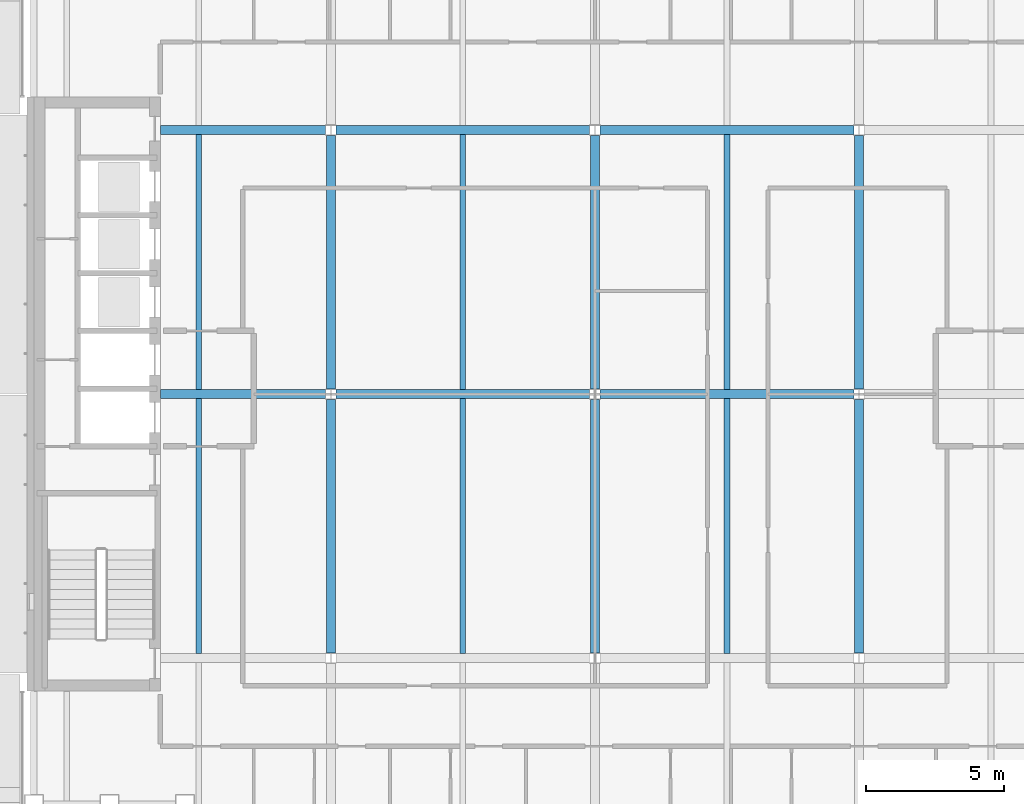
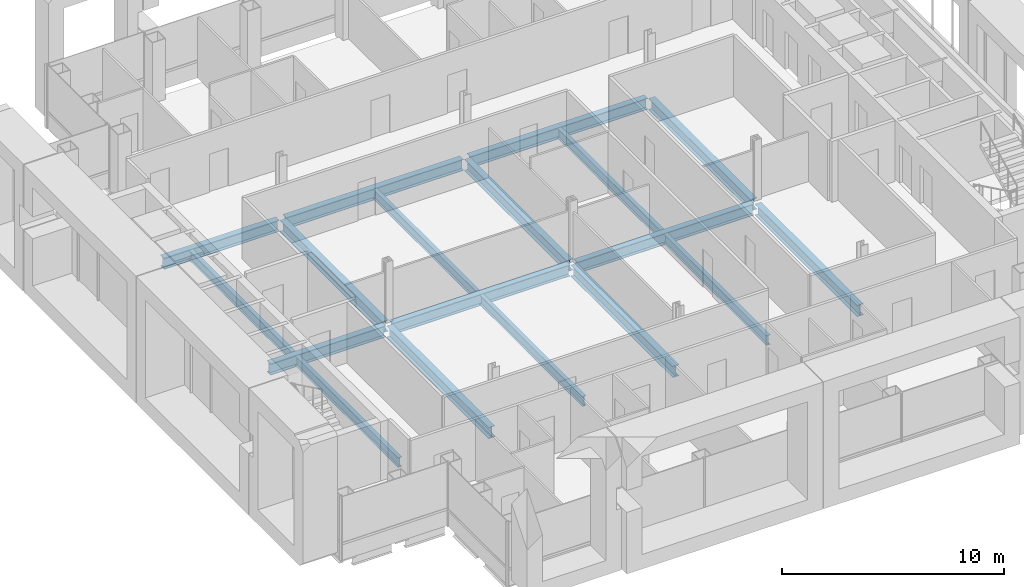
# One storey, part 4 of 19: 18 beams.
"""IFC4 building model written with IfcOpenShell, lengths in metres."""

import ifcopenshell
import ifcopenshell.guid

model = None  # the IFC model being written
_history = None  # IfcOwnerHistory: only IFC2X3 demands one
_inside = {}  # id of a spatial element -> (the spatial element, [elements in it])
_under = {}  # id of a project, library or spatial element -> (it, [spatial elements below it])
_declared = {}  # id of a project -> (the project, [libraries it declares])
_typed = {}  # id of a type object -> (the type object, [elements of that type])
_made_of = {}  # id of a material, layer set ... -> (it, [elements and type objects made of it])


def new_model(schema):
    """Start an empty IFC model of exactly this schema.

    Asked for "IFC4X3", IfcOpenShell would pick the latest addendum, in which some entities
    have other attributes; the version numbers below select the first issue.
    IFC2X3 requires an IfcOwnerHistory on every rooted entity: one is made here for all.
    """
    global model, _history
    if schema == "IFC4X3":
        model = ifcopenshell.file(schema_version=(4, 3, 0, 0))
    else:
        model = ifcopenshell.file(schema=schema)
    _inside.clear()
    _under.clear()
    _declared.clear()
    _typed.clear()
    _made_of.clear()
    _history = None
    if model.schema == "IFC2X3":
        org = make("IfcOrganization", Name="unknown")
        user = make(
            "IfcPersonAndOrganization",
            ThePerson=make("IfcPerson", FamilyName="unknown"),
            TheOrganization=org,
        )
        app = make(
            "IfcApplication",
            ApplicationDeveloper=org,
            Version="unknown",
            ApplicationFullName="unknown",
            ApplicationIdentifier="unknown",
        )
        _history = make(
            "IfcOwnerHistory",
            OwningUser=user,
            OwningApplication=app,
            ChangeAction="ADDED",
            CreationDate=0,
        )
    return model


def make(cls, **values):
    """One entity of the class cls with the attributes given. An attribute that is None is left unset."""
    return model.create_entity(
        cls, **{name: value for name, value in values.items() if value is not None}
    )


def rooted(cls, **values):
    """An entity with a GlobalId (a new one), such as an element, a storey or a relation."""
    return make(cls, GlobalId=ifcopenshell.guid.new(), OwnerHistory=_history, **values)


def si_unit(unit_type, name, prefix=None):
    """IfcSIUnit, for example si_unit("LENGTHUNIT", "METRE", prefix="MILLI")."""
    return make("IfcSIUnit", UnitType=unit_type, Prefix=prefix, Name=name)


def assignment(units):
    """IfcUnitAssignment: the units of a project."""
    return None if units is None else make("IfcUnitAssignment", Units=units)


def point(xyz):
    """IfcCartesianPoint."""
    return None if xyz is None else make("IfcCartesianPoint", Coordinates=xyz)


def direction(xyz):
    """IfcDirection."""
    return None if xyz is None else make("IfcDirection", DirectionRatios=xyz)


def frame(location, z_axis=None, x_axis=None):
    """IfcAxis2Placement3D, a coordinate frame: its origin and axes. An axis left out is left unset."""
    return make(
        "IfcAxis2Placement3D",
        Location=point(location),
        Axis=direction(z_axis),
        RefDirection=direction(x_axis),
    )


def frame_2d(location, x_axis=None):
    """IfcAxis2Placement2D, a coordinate frame in the plane: its origin and x axis."""
    return make(
        "IfcAxis2Placement2D", Location=point(location), RefDirection=direction(x_axis)
    )


def origin():
    """The frame at (0, 0, 0) with its axes left unset."""
    return frame((0.0, 0.0, 0.0))


def origin_2d():
    """The frame at (0, 0) in the plane with its x axis left unset."""
    return frame_2d((0.0, 0.0))


def place(relative_to, where):
    """IfcLocalPlacement: puts the frame where relative to a parent placement (None: the world)."""
    return make(
        "IfcLocalPlacement", PlacementRelTo=relative_to, RelativePlacement=where
    )


def context(
    kind, dimensions, precision=None, world=None, true_north=None, identifier=None
):
    """IfcGeometricRepresentationContext, for example the 3D "Model" context."""
    return make(
        "IfcGeometricRepresentationContext",
        ContextIdentifier=identifier,
        ContextType=kind,
        CoordinateSpaceDimension=dimensions,
        Precision=precision,
        WorldCoordinateSystem=world,
        TrueNorth=true_north,
    )


def subcontext(parent, identifier, kind, view, scale=None):
    """IfcGeometricRepresentationSubContext, for example "Body" below "Model"."""
    return make(
        "IfcGeometricRepresentationSubContext",
        ContextIdentifier=identifier,
        ContextType=kind,
        ParentContext=parent,
        TargetScale=scale,
        TargetView=view,
    )


def project(units=None, contexts=None):
    """IfcProject with its units and contexts."""
    return rooted(
        "IfcProject",
        Name="project",
        RepresentationContexts=contexts,
        UnitsInContext=assignment(units),
    )


def spatial(cls, under=None, at=None, **own):
    """A site, building, storey or space (cls), placed at a placement, below another one or the project."""
    s = rooted(cls, ObjectPlacement=at, **own)
    if under is not None:
        _under.setdefault(under.id(), (under, []))[1].append(s)
    return s


def profile(cls, at=None, kind="AREA", **sizes):
    """A parametric profile (cls). Its sizes go by their IFC names, for example OverallWidth=200.0."""
    return make(cls, ProfileType=kind, Position=at, **sizes)


def i_section(**sizes):
    """IfcIShapeProfileDef."""
    return profile("IfcIShapeProfileDef", **sizes)


def extrude(swept, where, along, depth):
    """IfcExtrudedAreaSolid: the profile swept, set in the frame where, extruded along a direction by depth."""
    return make(
        "IfcExtrudedAreaSolid",
        SweptArea=swept,
        Position=where,
        ExtrudedDirection=direction(along),
        Depth=depth,
    )


def shape(context_of_items, identifier, shape_type, items):
    """IfcShapeRepresentation: the items that make up one representation, for example the "Body"."""
    return make(
        "IfcShapeRepresentation",
        ContextOfItems=context_of_items,
        RepresentationIdentifier=identifier,
        RepresentationType=shape_type,
        Items=items,
    )


def material(Name=None, Category=None):
    """IfcMaterial."""
    return make("IfcMaterial", Name=Name, Category=Category)


def material_profile(
    of_material, cross_section, Name=None, Category=None, Priority=None
):
    """IfcMaterialProfile: a cross section and its material."""
    return make(
        "IfcMaterialProfile",
        Name=Name,
        Material=of_material,
        Profile=cross_section,
        Priority=Priority,
        Category=Category,
    )


def profile_set(profiles, Name=None, composite=None):
    """IfcMaterialProfileSet."""
    return make(
        "IfcMaterialProfileSet",
        Name=Name,
        MaterialProfiles=profiles,
        CompositeProfile=composite,
    )


def made_of(thing, what):
    """Note that an element or type object is made of a material, layer set ...; save() writes the relation."""
    if what is not None:
        _made_of.setdefault(what.id(), (what, []))[1].append(thing)
    return thing


def type_object(cls, material=None, **own):
    """A type object (cls), such as IfcWallType, which elements share."""
    return made_of(rooted(cls, **own), material)


def element(
    cls,
    number,
    at=None,
    inside=None,
    cuts=None,
    type_object=None,
    material=None,
    context=None,
    identifier="Body",
    shape_type=None,
    held_by="IfcProductDefinitionShape",
    body=None,
    shapes=None,
    **own,
):
    """One element of the class cls, such as IfcWall. Its Tag is "e" and its number.

    at: its placement. inside: the storey or other place that contains it. cuts: it is an
    opening in that element (IfcRelVoidsElement). A single representation is given by context,
    identifier, shape_type and body (its items); several are given by shapes. held_by: the class
    of the entity that holds the representations. save() writes the other relations.
    """
    e = rooted(cls, Tag="e%d" % number, ObjectPlacement=at, **own)
    if body is not None:
        shapes = [shape(context, identifier, shape_type, body)]
    if shapes is not None:
        e.Representation = make(held_by, Representations=shapes)
    if inside is not None:
        _inside.setdefault(inside.id(), (inside, []))[1].append(e)
    if cuts is not None:
        rooted(
            "IfcRelVoidsElement", RelatingBuildingElement=cuts, RelatedOpeningElement=e
        )
    if type_object is not None:
        _typed.setdefault(type_object.id(), (type_object, []))[1].append(e)
    return made_of(e, material)


def aggregate(whole, parts):
    """IfcRelAggregates: a whole, such as a stair, and the parts it consists of."""
    return rooted("IfcRelAggregates", RelatingObject=whole, RelatedObjects=parts)


def save(model, path):
    """Write the relations noted so far, then the file.

    IfcRelAggregates (storeys below a building ...), IfcRelContainedInSpatialStructure (elements
    in a storey), IfcRelDefinesByType, IfcRelAssociatesMaterial and IfcRelDeclares: one each for
    every whole, place, type object, material and project.
    """
    for whole, parts in _under.values():
        aggregate(whole, parts)
    for where, things in _inside.values():
        rooted(
            "IfcRelContainedInSpatialStructure",
            RelatedElements=things,
            RelatingStructure=where,
        )
    for kind, things in _typed.values():
        rooted("IfcRelDefinesByType", RelatedObjects=things, RelatingType=kind)
    for what, things in _made_of.values():
        rooted("IfcRelAssociatesMaterial", RelatedObjects=things, RelatingMaterial=what)
    for by, libraries in _declared.values():
        rooted("IfcRelDeclares", RelatingContext=by, RelatedDefinitions=libraries)
    model.write(path)


model = new_model("IFC4")

# Units and contexts
model_context = context("Model", 3, precision=1e-05, world=origin(), true_north=direction((0.0, 1.0)))
body_context = subcontext(model_context, "Body", "Model", "MODEL_VIEW")
ifc_project = project(units=[si_unit("LENGTHUNIT", "METRE"), si_unit("AREAUNIT", "SQUARE_METRE"), si_unit("VOLUMEUNIT", "CUBIC_METRE"), si_unit("PLANEANGLEUNIT", "RADIAN"), si_unit("MASSUNIT", "GRAM", prefix="KILO")], contexts=[model_context])

# Site, building, storey
site_placement = place(None, origin())
site = spatial("IfcSite", under=ifc_project, at=site_placement, CompositionType="ELEMENT")
building_placement = place(site_placement, origin())
building = spatial("IfcBuilding", under=site, at=building_placement, Name="Cobrizo Arcos Hotel Tower", CompositionType="ELEMENT")
storey_placement = place(building_placement, frame((0.0, 0.0, 205.0)))
storey = spatial("IfcBuildingStorey", under=building, at=storey_placement, Name="L53", CompositionType="ELEMENT", Elevation=205.0)

# Beams
ifc_material = material(Name="Steel ASTM A992 Grade 50", Category="steel")
ifc_material_profile_1 = material_profile(ifc_material, i_section(OverallWidth=0.209228515625, OverallDepth=0.533447265625, WebThickness=0.01025390625, FlangeThickness=0.015625, at=origin_2d()), Name="W21X62")
ifc_profile_set_1 = profile_set([ifc_material_profile_1], Name="Steel ASTM A992 Grade 50")
beam_type_1 = type_object("IfcBeamType", Name="W21X62 joist", PredefinedType="JOIST", material=ifc_profile_set_1)
for number, where, z_axis, x_axis, name in (
    (1, (-14.39990234375, -9.43603515625, -0.416748046875), (0.0, 1.0, 0.0), (-1.0, 0.0, 0.0), "Floor joist J1, L53, no. 004"),
    (2, (-14.39990234375, 0.163818359375, -0.416748046875), (0.0, 1.0, 0.0), (-1.0, 0.0, 0.0), "Floor joist J1, L53, no. 005"),
    (3, (-4.800048828125, -9.43603515625, -0.416748046875), (0.0, 1.0, 0.0), (-1.0, 0.0, 0.0), "Floor joist J1, L53, no. 008"),
    (4, (-4.800048828125, 0.163818359375, -0.416748046875), (0.0, 1.0, 0.0), (-1.0, 0.0, 0.0), "Floor joist J1, L53, no. 009"),
    (5, (4.800048828125, -9.43603515625, -0.416748046875), (0.0, 1.0, 0.0), (-1.0, 0.0, 0.0), "Floor joist J1, L53, no. 012"),
    (6, (4.800048828125, 0.163818359375, -0.416748046875), (0.0, 1.0, 0.0), (-1.0, 0.0, 0.0), "Floor joist J1, L53, no. 013"),
):
    element("IfcBeam", number, at=place(storey_placement, frame(where, z_axis=z_axis, x_axis=x_axis)), inside=storey, type_object=beam_type_1, Name=name, PredefinedType="JOIST", context=body_context, shape_type="SweptSolid", body=[
        extrude(i_section(OverallWidth=0.209228515625, OverallDepth=0.533447265625, WebThickness=0.01025390625, FlangeThickness=0.015625, at=origin_2d()), origin(), (0.0, 0.0, 1.0), 9.272216796875),
    ])
ifc_material_profile_2 = material_profile(ifc_material, i_section(OverallWidth=0.32763671875, OverallDepth=0.622314453125, WebThickness=0.015380859375, FlangeThickness=0.0244140625, at=origin_2d()), Name="W24X131")
ifc_profile_set_2 = profile_set([ifc_material_profile_2], Name="Steel ASTM A992 Grade 50")
beam_type_2 = type_object("IfcBeamType", Name="W24X131 girder", PredefinedType="BEAM", material=ifc_profile_set_2)
beam_1_placement = place(storey_placement, frame((-15.7900390625, 0.0, -0.461181640625), z_axis=(1.0, 0.0, 0.0), x_axis=(0.0, 1.0, 0.0)))
element("IfcBeam", 7, at=beam_1_placement, inside=storey, type_object=beam_type_2, Name="Floor girder G1, L53, no. 005", PredefinedType="BEAM", context=body_context, shape_type="SweptSolid", body=[
    extrude(i_section(OverallWidth=0.32763671875, OverallDepth=0.622314453125, WebThickness=0.015380859375, FlangeThickness=0.0244140625, at=origin_2d()), origin(), (0.0, 0.0, 1.0), 6.00341796875),
])
for number, where, z_axis, x_axis, name in (
    (8, (-9.413330078125, 0.0, -0.461181640625), (1.0, 0.0, 0.0), (0.0, 1.0, 0.0), "Floor girder G1, L53, no. 006"),
    (9, (0.186767578125, 0.0, -0.461181640625), (1.0, 0.0, 0.0), (0.0, 1.0, 0.0), "Floor girder G1, L53, no. 007"),
):
    element("IfcBeam", number, at=place(storey_placement, frame(where, z_axis=z_axis, x_axis=x_axis)), inside=storey, type_object=beam_type_2, Name=name, PredefinedType="BEAM", context=body_context, shape_type="SweptSolid", body=[
        extrude(i_section(OverallWidth=0.32763671875, OverallDepth=0.622314453125, WebThickness=0.015380859375, FlangeThickness=0.0244140625, at=origin_2d()), origin(), (0.0, 0.0, 1.0), 9.2265625),
    ])
beam_2_placement = place(storey_placement, frame((-15.7900390625, 9.60009765625, -0.461181640625), z_axis=(1.0, 0.0, 0.0), x_axis=(0.0, 1.0, 0.0)))
element("IfcBeam", 10, at=beam_2_placement, inside=storey, type_object=beam_type_2, Name="Floor girder G1, L53, no. 009", PredefinedType="BEAM", context=body_context, shape_type="SweptSolid", body=[
    extrude(i_section(OverallWidth=0.32763671875, OverallDepth=0.622314453125, WebThickness=0.015380859375, FlangeThickness=0.0244140625, at=origin_2d()), origin(), (0.0, 0.0, 1.0), 6.00341796875),
])
for number, where, z_axis, x_axis, name in (
    (11, (-9.413330078125, 9.60009765625, -0.461181640625), (1.0, 0.0, 0.0), (0.0, 1.0, 0.0), "Floor girder G1, L53, no. 010"),
    (12, (0.186767578125, 9.60009765625, -0.461181640625), (1.0, 0.0, 0.0), (0.0, 1.0, 0.0), "Floor girder G1, L53, no. 011"),
    (13, (-9.60009765625, -9.413330078125, -0.461181640625), (0.0, 1.0, 0.0), (-1.0, 0.0, 0.0), "Floor girder G1, L53, no. 014"),
    (14, (-9.60009765625, 0.186767578125, -0.461181640625), (0.0, 1.0, 0.0), (-1.0, 0.0, 0.0), "Floor girder G1, L53, no. 015"),
    (15, (0.0, -9.413330078125, -0.461181640625), (0.0, 1.0, 0.0), (-1.0, 0.0, 0.0), "Floor girder G1, L53, no. 018"),
    (16, (0.0, 0.186767578125, -0.461181640625), (0.0, 1.0, 0.0), (-1.0, 0.0, 0.0), "Floor girder G1, L53, no. 019"),
    (17, (9.60009765625, -9.413330078125, -0.461181640625), (0.0, 1.0, 0.0), (-1.0, 0.0, 0.0), "Floor girder G1, L53, no. 022"),
    (18, (9.60009765625, 0.186767578125, -0.461181640625), (0.0, 1.0, 0.0), (-1.0, 0.0, 0.0), "Floor girder G1, L53, no. 023"),
):
    element("IfcBeam", number, at=place(storey_placement, frame(where, z_axis=z_axis, x_axis=x_axis)), inside=storey, type_object=beam_type_2, Name=name, PredefinedType="BEAM", context=body_context, shape_type="SweptSolid", body=[
        extrude(i_section(OverallWidth=0.32763671875, OverallDepth=0.622314453125, WebThickness=0.015380859375, FlangeThickness=0.0244140625, at=origin_2d()), origin(), (0.0, 0.0, 1.0), 9.2265625),
    ])

save(model, "model.ifc")
